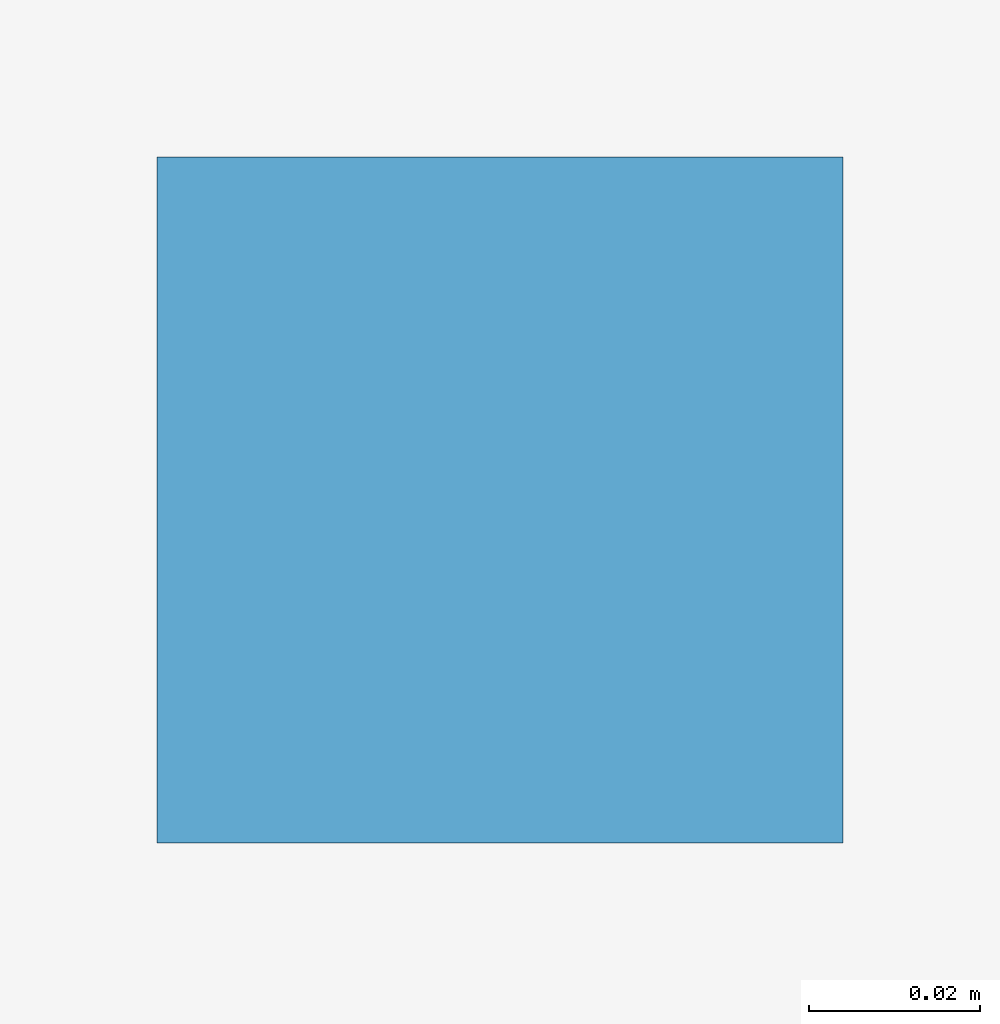
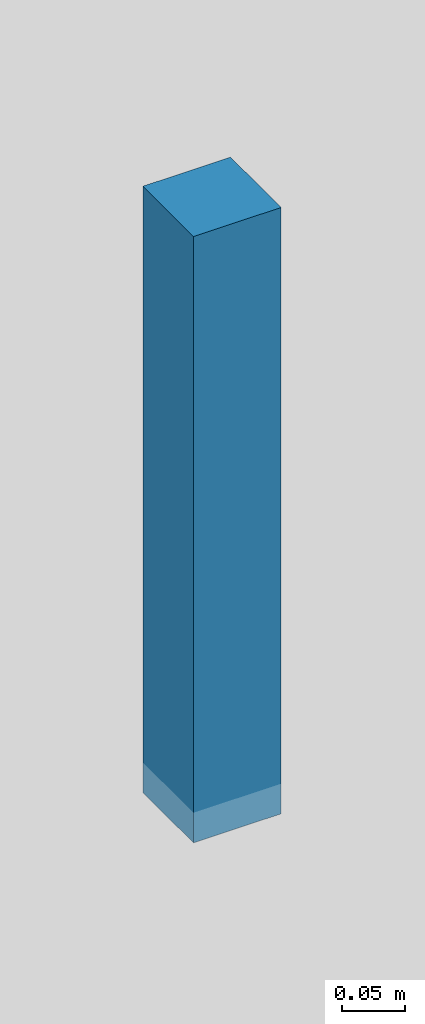
# One storey, part 10 of 14: 1 discrete accessory.
"""IFC4 building model written with IfcOpenShell, lengths in metres."""

from ifc_helpers import new_model, si_unit, direction, frame, origin, origin_2d, place, context, subcontext, project, spatial, rectangle, extrude, source, transform, mapped, material, type_object, element, save


model = new_model("IFC4")

# Units and contexts
model_context = context("Model", 3, precision=1e-05, world=origin(), true_north=direction((0.0, 1.0)))
body_context = subcontext(model_context, "Body", "Model", "MODEL_VIEW")
ifc_project = project(units=[si_unit("LENGTHUNIT", "METRE"), si_unit("AREAUNIT", "SQUARE_METRE"), si_unit("VOLUMEUNIT", "CUBIC_METRE"), si_unit("PLANEANGLEUNIT", "RADIAN"), si_unit("MASSUNIT", "GRAM", prefix="KILO")], contexts=[model_context])

# Site, building, storey
site_placement = place(None, origin())
site = spatial("IfcSite", under=ifc_project, at=site_placement, CompositionType="ELEMENT")
building_placement = place(site_placement, origin())
building = spatial("IfcBuilding", under=site, at=building_placement, Name="Giltprow Tower", CompositionType="ELEMENT")
storey_placement = place(building_placement, frame((0.0, 0.0, 317.60009765625)))
storey = spatial("IfcBuildingStorey", under=building, at=storey_placement, Name="L82", CompositionType="ELEMENT", Elevation=317.60009765625)

# Discrete accessory
ifc_material = material(Name="Structural steel Q355B", Category="steel")
discrete_accessory_type = type_object("IfcDiscreteAccessoryType", Name="ACC-CLG-HANGER", PredefinedType="BRACKET", material=ifc_material)
shared_shape = source(origin(), body_context, "Body", "SweptSolid", [
    extrude(rectangle(XDim=0.080078125, YDim=0.080078125, at=origin_2d()), origin(), (0.0, 0.0, 1.0), 0.5849609375),
])
discrete_accessory_placement = place(storey_placement, frame((35.0, 35.625, 2.620361328125), z_axis=(0.0, 0.0, 1.0), x_axis=(1.0, 0.0, 0.0)))
element("IfcDiscreteAccessory", 1, at=discrete_accessory_placement, inside=storey, type_object=discrete_accessory_type, Name="L82 Residence Gallery Ceiling Suspension Hanger", PredefinedType="BRACKET", context=body_context, shape_type="MappedRepresentation", body=[
    mapped(shared_shape, transform((0.0, 0.0, 0.0), x_axis=(1.0, 0.0, 0.0), y_axis=(0.0, 1.0, 0.0), z_axis=(0.0, 0.0, 1.0), scale=1.0)),
])

save(model, "model.ifc")
